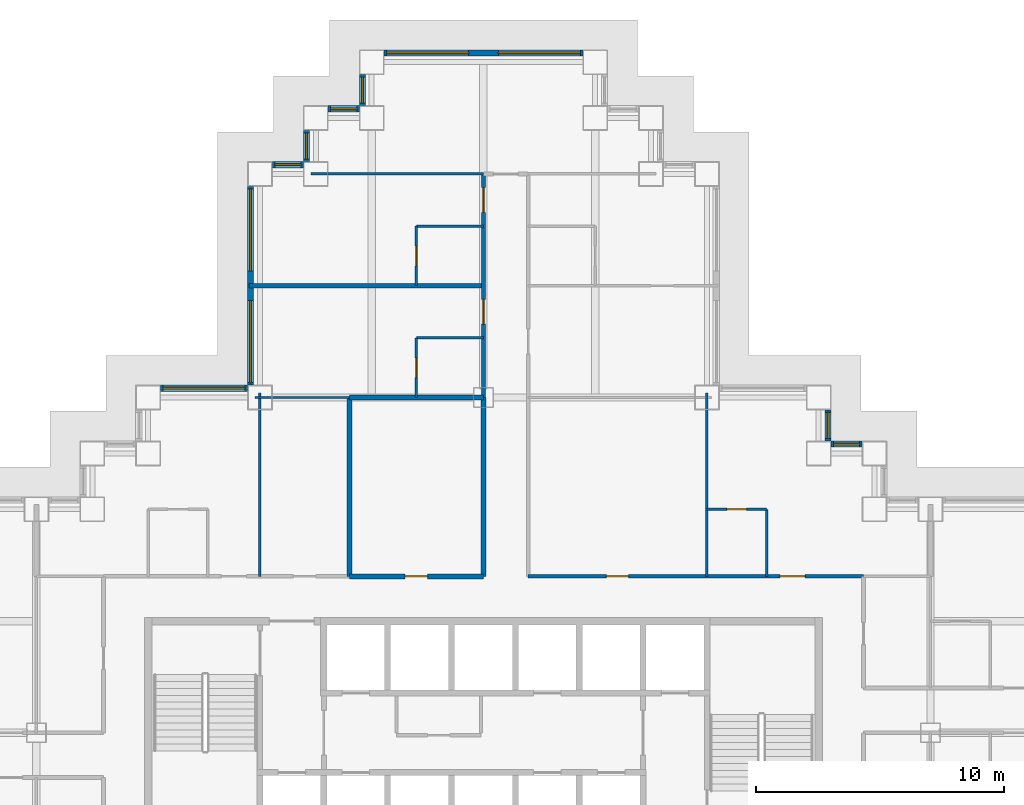
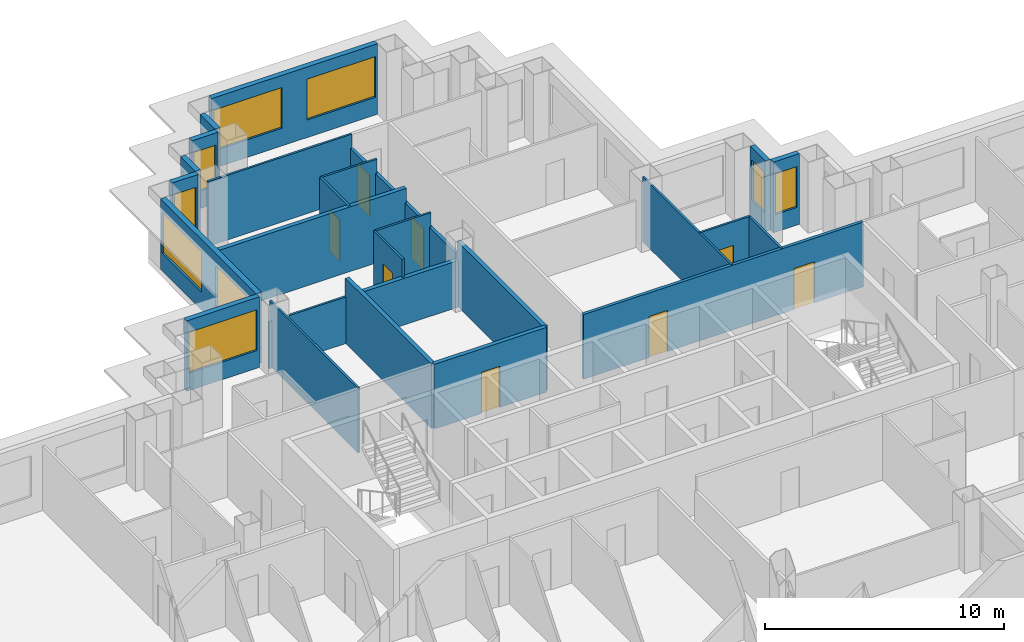
# One storey, part 8 of 14: 26 walls, 11 windows, 8 doors, 19 openings.
"""IFC4 building model written with IfcOpenShell, lengths in metres."""

from ifc_helpers import new_model, si_unit, direction, frame, frame_2d, origin, place, context, subcontext, project, spatial, rectangle, extrude, material, layer, layer_set, type_object, element, fill, save


model = new_model("IFC4")

# Units and contexts
model_context = context("Model", 3, precision=1e-05, world=origin(), true_north=direction((0.0, 1.0)))
body_context = subcontext(model_context, "Body", "Model", "MODEL_VIEW")
ifc_project = project(units=[si_unit("LENGTHUNIT", "METRE"), si_unit("AREAUNIT", "SQUARE_METRE"), si_unit("VOLUMEUNIT", "CUBIC_METRE"), si_unit("PLANEANGLEUNIT", "RADIAN"), si_unit("MASSUNIT", "GRAM", prefix="KILO")], contexts=[model_context])

# Site, building, storey
site_placement = place(None, origin())
site = spatial("IfcSite", under=ifc_project, at=site_placement, CompositionType="ELEMENT")
building_placement = place(site_placement, origin())
building = spatial("IfcBuilding", under=site, at=building_placement, Name="Caravel Reach Hotel and Residences", CompositionType="ELEMENT")
storey_placement = place(building_placement, frame((0.0, 0.0, 67.199951171875)))
storey = spatial("IfcBuildingStorey", under=building, at=storey_placement, Name="L15", CompositionType="ELEMENT", Elevation=67.199951171875)

# Wall, opening, door
ifc_material_1 = material(Name="Gypsum board on steel stud", Category="steel")
ifc_layer_1 = layer(ifc_material_1, 0.10009765625)
ifc_layer_set_1 = layer_set([ifc_layer_1], Name="Bathroom pod wall 100 mm")
wall_type_1 = type_object("IfcWallType", Name="Bathroom pod wall 100 mm", PredefinedType="PARTITIONING", material=ifc_layer_set_1)
wall_1_placement = place(storey_placement, frame((40.5, 36.0, 0.0), z_axis=(0.0, 0.0, 1.0), x_axis=(1.0, 0.0, 0.0)))
wall_1 = element("IfcWall", 1, at=wall_1_placement, inside=storey, type_object=wall_type_1, Name="L15 wall w082", PredefinedType="PARTITIONING", context=body_context, shape_type="SweptSolid", body=[
    extrude(rectangle(XDim=2.39990234375, YDim=0.10009765625, at=frame_2d((1.199951171875, 0.0))), origin(), (0.0, 0.0, 1.0), 3.300048828125),
])
opening_1_placement = place(wall_1_placement, frame((0.800048828125, 0.0, 0.0)))
opening_1 = element("IfcOpeningElement", 2, at=opening_1_placement, cuts=wall_1, Name="Opening D15-045", PredefinedType="OPENING", context=body_context, shape_type="SweptSolid", body=[
    extrude(rectangle(XDim=0.800048828125, YDim=2.10009765625, at=frame_2d((0.39990234375, 1.050048828125))), frame((0.0, 0.06005859375, 0.0), z_axis=(0.0, -1.0, 0.0), x_axis=(1.0, 0.0, 0.0)), (0.0, 0.0, 1.0), 0.1201171875),
])
ifc_material_2 = material(Name="Timber and steel door leaf", Category="steel")
door_type_1 = type_object("IfcDoorType", Name="Bathroom door 800 x 2100", OperationType="SINGLE_SWING_LEFT", PredefinedType="DOOR", material=ifc_material_2)
door_1_placement = place(opening_1_placement, origin())
door_1 = element("IfcDoor", 3, at=door_1_placement, inside=storey, type_object=door_type_1, Name="door D15-045", OperationType="SINGLE_SWING_RIGHT", OverallHeight=2.10009765625, OverallWidth=0.800048828125, PredefinedType="DOOR", context=body_context, shape_type="SweptSolid", body=[
    extrude(rectangle(XDim=0.800048828125, YDim=2.10009765625, at=frame_2d((0.39990234375, 1.050048828125))), frame((0.0, 0.02490234375, 0.0), z_axis=(0.0, -1.0, 0.0), x_axis=(1.0, 0.0, 0.0)), (0.0, 0.0, 1.0), 0.050048828125),
])
fill(opening_1, door_1)

# Walls
for number, where, z_axis, x_axis, name in (
    (4, (28.800048828125, 42.89990234375, 0.0), (0.0, 0.0, 1.0), (1.0, 0.0, 0.0), "L15 wall w083"),
    (5, (28.800048828125, 47.39990234375, 0.0), (0.0, 0.0, 1.0), (1.0, 0.0, 0.0), "L15 wall w084"),
):
    element("IfcWall", number, at=place(storey_placement, frame(where, z_axis=z_axis, x_axis=x_axis)), inside=storey, type_object=wall_type_1, Name=name, PredefinedType="PARTITIONING", context=body_context, shape_type="SweptSolid", body=[
        extrude(rectangle(XDim=2.699951171875, YDim=0.10009765625, at=frame_2d((1.35009765625, 0.0))), origin(), (0.0, 0.0, 1.0), 3.300048828125),
    ])

# Wall, opening, door
wall_2_placement = place(storey_placement, frame((28.800048828125, 40.5, 0.0), z_axis=(0.0, 0.0, 1.0), x_axis=(0.0, 1.0, 0.0)))
wall_2 = element("IfcWall", 6, at=wall_2_placement, inside=storey, type_object=wall_type_1, Name="L15 wall w095", PredefinedType="PARTITIONING", context=body_context, shape_type="SweptSolid", body=[
    extrude(rectangle(XDim=2.39990234375, YDim=0.10009765625, at=frame_2d((1.199951171875, 0.0))), origin(), (0.0, 0.0, 1.0), 3.300048828125),
])
opening_2_placement = place(wall_2_placement, frame((0.800048828125, 0.0, 0.0)))
opening_2 = element("IfcOpeningElement", 7, at=opening_2_placement, cuts=wall_2, Name="Opening D15-024", PredefinedType="OPENING", context=body_context, shape_type="SweptSolid", body=[
    extrude(rectangle(XDim=0.800048828125, YDim=2.10009765625, at=frame_2d((0.39990234375, 1.050048828125))), frame((0.0, 0.06005859375, 0.0), z_axis=(0.0, -1.0, 0.0), x_axis=(1.0, 0.0, 0.0)), (0.0, 0.0, 1.0), 0.1201171875),
])
door_2_placement = place(opening_2_placement, origin())
door_2 = element("IfcDoor", 8, at=door_2_placement, inside=storey, type_object=door_type_1, Name="door D15-024", OperationType="SINGLE_SWING_RIGHT", OverallHeight=2.10009765625, OverallWidth=0.800048828125, PredefinedType="DOOR", context=body_context, shape_type="SweptSolid", body=[
    extrude(rectangle(XDim=0.800048828125, YDim=2.10009765625, at=frame_2d((0.39990234375, 1.050048828125))), frame((0.0, 0.02490234375, 0.0), z_axis=(0.0, -1.0, 0.0), x_axis=(1.0, 0.0, 0.0)), (0.0, 0.0, 1.0), 0.050048828125),
])
fill(opening_2, door_2)

wall_3_placement = place(storey_placement, frame((28.800048828125, 45.0, 0.0), z_axis=(0.0, 0.0, 1.0), x_axis=(0.0, 1.0, 0.0)))
wall_3 = element("IfcWall", 9, at=wall_3_placement, inside=storey, type_object=wall_type_1, Name="L15 wall w096", PredefinedType="PARTITIONING", context=body_context, shape_type="SweptSolid", body=[
    extrude(rectangle(XDim=2.39990234375, YDim=0.10009765625, at=frame_2d((1.199951171875, 0.0))), origin(), (0.0, 0.0, 1.0), 3.300048828125),
])
opening_3_placement = place(wall_3_placement, frame((0.800048828125, 0.0, 0.0)))
opening_3 = element("IfcOpeningElement", 10, at=opening_3_placement, cuts=wall_3, Name="Opening D15-026", PredefinedType="OPENING", context=body_context, shape_type="SweptSolid", body=[
    extrude(rectangle(XDim=0.800048828125, YDim=2.10009765625, at=frame_2d((0.39990234375, 1.050048828125))), frame((0.0, 0.06005859375, 0.0), z_axis=(0.0, -1.0, 0.0), x_axis=(1.0, 0.0, 0.0)), (0.0, 0.0, 1.0), 0.1201171875),
])
door_3_placement = place(opening_3_placement, origin())
door_3 = element("IfcDoor", 11, at=door_3_placement, inside=storey, type_object=door_type_1, Name="door D15-026", OperationType="SINGLE_SWING_RIGHT", OverallHeight=2.10009765625, OverallWidth=0.800048828125, PredefinedType="DOOR", context=body_context, shape_type="SweptSolid", body=[
    extrude(rectangle(XDim=0.800048828125, YDim=2.10009765625, at=frame_2d((0.39990234375, 1.050048828125))), frame((0.0, 0.02490234375, 0.0), z_axis=(0.0, -1.0, 0.0), x_axis=(1.0, 0.0, 0.0)), (0.0, 0.0, 1.0), 0.050048828125),
])
fill(opening_3, door_3)

# Wall
wall_4_placement = place(storey_placement, frame((42.89990234375, 33.300048828125, 0.0), z_axis=(0.0, 0.0, 1.0), x_axis=(0.0, 1.0, 0.0)))
element("IfcWall", 12, at=wall_4_placement, inside=storey, type_object=wall_type_1, Name="L15 wall w101", PredefinedType="PARTITIONING", context=body_context, shape_type="SweptSolid", body=[
    extrude(rectangle(XDim=2.699951171875, YDim=0.10009765625, at=frame_2d((1.35009765625, 0.0))), origin(), (0.0, 0.0, 1.0), 3.300048828125),
])

# Wall, opening, door
ifc_material_3 = material(Name="Autoclaved aerated block wall")
ifc_layer_2 = layer(ifc_material_3, 0.199951171875)
ifc_layer_set_2 = layer_set([ifc_layer_2], Name="Compartment wall 200 mm EI 120")
wall_type_2 = type_object("IfcWallType", Name="Compartment wall 200 mm EI 120", PredefinedType="PARTITIONING", material=ifc_layer_set_2)
wall_5_placement = place(storey_placement, frame((26.10009765625, 33.300048828125, 0.0), z_axis=(0.0, 0.0, 1.0), x_axis=(1.0, 0.0, 0.0)))
wall_5 = element("IfcWall", 13, at=wall_5_placement, inside=storey, type_object=wall_type_2, Name="L15 wall w105", PredefinedType="PARTITIONING", context=body_context, shape_type="SweptSolid", body=[
    extrude(rectangle(XDim=5.39990234375, YDim=0.199951171875, at=frame_2d((2.699951171875, 0.0))), origin(), (0.0, 0.0, 1.0), 3.300048828125),
])
opening_4_placement = place(wall_5_placement, frame((2.25, 0.0, 0.0)))
opening_4 = element("IfcOpeningElement", 14, at=opening_4_placement, cuts=wall_5, Name="Opening D15-052", PredefinedType="OPENING", context=body_context, shape_type="SweptSolid", body=[
    extrude(rectangle(XDim=0.89990234375, YDim=2.10009765625, at=frame_2d((0.449951171875, 1.050048828125))), frame((0.0, 0.10986328125, 0.0), z_axis=(0.0, -1.0, 0.0), x_axis=(1.0, 0.0, 0.0)), (0.0, 0.0, 1.0), 0.219970703125),
])
ifc_material_4 = material(Name="Steel fire door leaf", Category="steel")
door_type_2 = type_object("IfcDoorType", Name="Riser door 900 x 2100 EI 60", OperationType="SINGLE_SWING_LEFT", PredefinedType="DOOR", material=ifc_material_4)
door_4_placement = place(opening_4_placement, origin())
door_4 = element("IfcDoor", 15, at=door_4_placement, inside=storey, type_object=door_type_2, Name="door D15-052", OperationType="SINGLE_SWING_RIGHT", OverallHeight=2.10009765625, OverallWidth=0.89990234375, PredefinedType="DOOR", context=body_context, shape_type="SweptSolid", body=[
    extrude(rectangle(XDim=0.89990234375, YDim=2.10009765625, at=frame_2d((0.449951171875, 1.050048828125))), frame((0.0, 0.02490234375, 0.0), z_axis=(0.0, -1.0, 0.0), x_axis=(1.0, 0.0, 0.0)), (0.0, 0.0, 1.0), 0.050048828125),
])
fill(opening_4, door_4)

# Walls
wall_6_placement = place(storey_placement, frame((26.10009765625, 40.5, 0.0), z_axis=(0.0, 0.0, 1.0), x_axis=(1.0, 0.0, 0.0)))
element("IfcWall", 16, at=wall_6_placement, inside=storey, type_object=wall_type_2, Name="L15 wall w106", PredefinedType="PARTITIONING", context=body_context, shape_type="SweptSolid", body=[
    extrude(rectangle(XDim=5.39990234375, YDim=0.199951171875, at=frame_2d((2.699951171875, 0.0))), origin(), (0.0, 0.0, 1.0), 2.380126953125),
])
for number, where, z_axis, x_axis, name in (
    (17, (26.10009765625, 33.300048828125, 0.0), (0.0, 0.0, 1.0), (0.0, 1.0, 0.0), "L15 wall w107"),
    (18, (31.5, 33.300048828125, 0.0), (0.0, 0.0, 1.0), (0.0, 1.0, 0.0), "L15 wall w108"),
):
    element("IfcWall", number, at=place(storey_placement, frame(where, z_axis=z_axis, x_axis=x_axis)), inside=storey, type_object=wall_type_2, Name=name, PredefinedType="PARTITIONING", context=body_context, shape_type="SweptSolid", body=[
        extrude(rectangle(XDim=7.199951171875, YDim=0.199951171875, at=frame_2d((3.60009765625, 0.0))), origin(), (0.0, 0.0, 1.0), 3.300048828125),
    ])

# Wall, openings, doors
ifc_material_5 = material(Name="Gypsum board on steel stud, fire-rated", Category="steel")
ifc_layer_3 = layer(ifc_material_5, 0.14990234375)
ifc_layer_set_3 = layer_set([ifc_layer_3], Name="Corridor wall 150 mm EI 60")
wall_type_3 = type_object("IfcWallType", Name="Corridor wall 150 mm EI 60", PredefinedType="PARTITIONING", material=ifc_layer_set_3)
wall_7_placement = place(storey_placement, frame((33.300048828125, 33.300048828125, 0.0), z_axis=(0.0, 0.0, 1.0), x_axis=(1.0, 0.0, 0.0)))
wall_7 = element("IfcWall", 19, at=wall_7_placement, inside=storey, type_object=wall_type_3, Name="L15 wall w018", PredefinedType="PARTITIONING", context=body_context, shape_type="SweptSolid", body=[
    extrude(rectangle(XDim=13.5, YDim=0.14990234375, at=frame_2d((6.75, 0.0))), origin(), (0.0, 0.0, 1.0), 3.300048828125),
])
opening_5_placement = place(wall_7_placement, frame((10.14990234375, 0.0, 0.0)))
opening_5 = element("IfcOpeningElement", 20, at=opening_5_placement, cuts=wall_7, Name="Opening D15-044", PredefinedType="OPENING", context=body_context, shape_type="SweptSolid", body=[
    extrude(rectangle(XDim=1.0, YDim=2.10009765625, at=frame_2d((0.5, 1.050048828125))), frame((0.0, 0.0849609375, 0.0), z_axis=(0.0, -1.0, 0.0), x_axis=(1.0, 0.0, 0.0)), (0.0, 0.0, 1.0), 0.169921875),
])
opening_6_placement = place(wall_7_placement, frame((3.14990234375, 0.0, 0.0)))
opening_6 = element("IfcOpeningElement", 21, at=opening_6_placement, cuts=wall_7, Name="Opening D15-053", PredefinedType="OPENING", context=body_context, shape_type="SweptSolid", body=[
    extrude(rectangle(XDim=0.89990234375, YDim=2.10009765625, at=frame_2d((0.449951171875, 1.050048828125))), frame((0.0, 0.0849609375, 0.0), z_axis=(0.0, -1.0, 0.0), x_axis=(1.0, 0.0, 0.0)), (0.0, 0.0, 1.0), 0.169921875),
])
ifc_material_6 = material(Name="Timber and steel door leaf", Category="steel")
door_type_3 = type_object("IfcDoorType", Name="Door 900 x 2100 timber", OperationType="SINGLE_SWING_LEFT", PredefinedType="DOOR", material=ifc_material_6)
door_5_placement = place(opening_6_placement, origin())
door_5 = element("IfcDoor", 22, at=door_5_placement, inside=storey, type_object=door_type_3, Name="door D15-053", OperationType="SINGLE_SWING_RIGHT", OverallHeight=2.10009765625, OverallWidth=0.89990234375, PredefinedType="DOOR", context=body_context, shape_type="SweptSolid", body=[
    extrude(rectangle(XDim=0.89990234375, YDim=2.10009765625, at=frame_2d((0.449951171875, 1.050048828125))), frame((0.0, 0.02490234375, 0.0), z_axis=(0.0, -1.0, 0.0), x_axis=(1.0, 0.0, 0.0)), (0.0, 0.0, 1.0), 0.050048828125),
])
fill(opening_6, door_5)
ifc_material_7 = material(Name="Steel fire door leaf", Category="steel")
door_type_4 = type_object("IfcDoorType", Name="Guest room door 1000 x 2100 EI 30", OperationType="SINGLE_SWING_LEFT", PredefinedType="DOOR", material=ifc_material_7)
door_6_placement = place(opening_5_placement, origin())
door_6 = element("IfcDoor", 23, at=door_6_placement, inside=storey, type_object=door_type_4, Name="door D15-044", OperationType="SINGLE_SWING_RIGHT", OverallHeight=2.10009765625, OverallWidth=1.0, PredefinedType="DOOR", context=body_context, shape_type="SweptSolid", body=[
    extrude(rectangle(XDim=1.0, YDim=2.10009765625, at=frame_2d((0.5, 1.050048828125))), frame((0.0, 0.02490234375, 0.0), z_axis=(0.0, -1.0, 0.0), x_axis=(1.0, 0.0, 0.0)), (0.0, 0.0, 1.0), 0.050048828125),
])
fill(opening_5, door_6)

wall_8_placement = place(storey_placement, frame((31.5, 40.5, 0.0), z_axis=(0.0, 0.0, 1.0), x_axis=(0.0, 1.0, 0.0)))
wall_8 = element("IfcWall", 24, at=wall_8_placement, inside=storey, type_object=wall_type_3, Name="L15 wall w026", PredefinedType="PARTITIONING", context=body_context, shape_type="SweptSolid", body=[
    extrude(rectangle(XDim=9.0, YDim=0.14990234375, at=frame_2d((4.5, 0.0))), origin(), (0.0, 0.0, 1.0), 2.580078125),
])
opening_7_placement = place(wall_8_placement, frame((2.949951171875, 0.0, 0.0)))
opening_7 = element("IfcOpeningElement", 25, at=opening_7_placement, cuts=wall_8, Name="Opening D15-023", PredefinedType="OPENING", context=body_context, shape_type="SweptSolid", body=[
    extrude(rectangle(XDim=1.0, YDim=2.10009765625, at=frame_2d((0.5, 1.050048828125))), frame((0.0, 0.0849609375, 0.0), z_axis=(0.0, -1.0, 0.0), x_axis=(1.0, 0.0, 0.0)), (0.0, 0.0, 1.0), 0.169921875),
])
opening_8_placement = place(wall_8_placement, frame((7.449951171875, 0.0, 0.0)))
opening_8 = element("IfcOpeningElement", 26, at=opening_8_placement, cuts=wall_8, Name="Opening D15-025", PredefinedType="OPENING", context=body_context, shape_type="SweptSolid", body=[
    extrude(rectangle(XDim=1.0, YDim=2.10009765625, at=frame_2d((0.5, 1.050048828125))), frame((0.0, 0.0849609375, 0.0), z_axis=(0.0, -1.0, 0.0), x_axis=(1.0, 0.0, 0.0)), (0.0, 0.0, 1.0), 0.169921875),
])
door_7_placement = place(opening_7_placement, origin())
door_7 = element("IfcDoor", 27, at=door_7_placement, inside=storey, type_object=door_type_4, Name="door D15-023", OperationType="SINGLE_SWING_RIGHT", OverallHeight=2.10009765625, OverallWidth=1.0, PredefinedType="DOOR", context=body_context, shape_type="SweptSolid", body=[
    extrude(rectangle(XDim=1.0, YDim=2.10009765625, at=frame_2d((0.5, 1.050048828125))), frame((0.0, 0.02490234375, 0.0), z_axis=(0.0, -1.0, 0.0), x_axis=(1.0, 0.0, 0.0)), (0.0, 0.0, 1.0), 0.050048828125),
])
fill(opening_7, door_7)
door_8_placement = place(opening_8_placement, origin())
door_8 = element("IfcDoor", 28, at=door_8_placement, inside=storey, type_object=door_type_4, Name="door D15-025", OperationType="SINGLE_SWING_RIGHT", OverallHeight=2.10009765625, OverallWidth=1.0, PredefinedType="DOOR", context=body_context, shape_type="SweptSolid", body=[
    extrude(rectangle(XDim=1.0, YDim=2.10009765625, at=frame_2d((0.5, 1.050048828125))), frame((0.0, 0.02490234375, 0.0), z_axis=(0.0, -1.0, 0.0), x_axis=(1.0, 0.0, 0.0)), (0.0, 0.0, 1.0), 0.050048828125),
])
fill(opening_8, door_8)

# Wall, opening, window
ifc_material_8 = material(Name="Insulated rainscreen wall, aluminium cladding", Category="aluminium")
ifc_layer_4 = layer(ifc_material_8, 0.25)
ifc_layer_set_4 = layer_set([ifc_layer_4], Name="EW1 Tower rainscreen wall")
wall_type_4 = type_object("IfcWallType", Name="EW1 Tower rainscreen wall", PredefinedType="SOLIDWALL", material=ifc_layer_set_4)
wall_9_placement = place(storey_placement, frame((46.75, 38.625, 0.0), z_axis=(0.0, 0.0, 1.0), x_axis=(-1.0, 0.0, 0.0)))
wall_9 = element("IfcWall", 29, at=wall_9_placement, inside=storey, type_object=wall_type_4, Name="External wall L15 N27.1", PredefinedType="SOLIDWALL", context=body_context, shape_type="SweptSolid", body=[
    extrude(rectangle(XDim=1.25, YDim=0.25, at=frame_2d((0.625, 0.0))), origin(), (0.0, 0.0, 1.0), 3.60009765625),
])
opening_9_placement = place(wall_9_placement, frame((0.10009765625, 0.0, 0.89990234375)))
opening_9 = element("IfcOpeningElement", 30, at=opening_9_placement, cuts=wall_9, Name="Opening WN3", PredefinedType="OPENING", context=body_context, shape_type="SweptSolid", body=[
    extrude(rectangle(XDim=1.050048828125, YDim=2.080078125, at=frame_2d((0.52490234375, 1.0400390625))), frame((0.0, 0.135009765625, 0.0), z_axis=(0.0, -1.0, 0.0), x_axis=(1.0, 0.0, 0.0)), (0.0, 0.0, 1.0), 0.27001953125),
])
ifc_material_9 = material(Name="Dark low-e glazing in black aluminium frame", Category="aluminium")
window_type_1 = type_object("IfcWindowType", Name="Hotel suite corner window 1050 x 2080", PartitioningType="SINGLE_PANEL", PredefinedType="WINDOW", material=ifc_material_9)
window_1_placement = place(opening_9_placement, origin())
window_1 = element("IfcWindow", 31, at=window_1_placement, inside=storey, type_object=window_type_1, Name="Window L15 N27.1.1", OverallHeight=2.080078125, OverallWidth=1.050048828125, PartitioningType="SINGLE_PANEL", PredefinedType="WINDOW", context=body_context, shape_type="SweptSolid", body=[
    extrude(rectangle(XDim=1.050048828125, YDim=2.080078125, at=frame_2d((0.52490234375, 1.0400390625))), frame((0.0, 0.030029296875, 0.0), z_axis=(0.0, -1.0, 0.0), x_axis=(1.0, 0.0, 0.0)), (0.0, 0.0, 1.0), 0.06005859375),
])
fill(opening_9, window_1)

wall_10_placement = place(storey_placement, frame((45.375, 38.75, 0.0), z_axis=(0.0, 0.0, 1.0), x_axis=(0.0, 1.0, 0.0)))
wall_10 = element("IfcWall", 32, at=wall_10_placement, inside=storey, type_object=wall_type_4, Name="External wall L15 E28.1", PredefinedType="SOLIDWALL", context=body_context, shape_type="SweptSolid", body=[
    extrude(rectangle(XDim=1.25, YDim=0.25, at=frame_2d((0.625, 0.0))), origin(), (0.0, 0.0, 1.0), 3.60009765625),
])
opening_10_placement = place(wall_10_placement, frame((0.10009765625, 0.0, 0.89990234375)))
opening_10 = element("IfcOpeningElement", 33, at=opening_10_placement, cuts=wall_10, Name="Opening WN3", PredefinedType="OPENING", context=body_context, shape_type="SweptSolid", body=[
    extrude(rectangle(XDim=1.050048828125, YDim=2.080078125, at=frame_2d((0.52490234375, 1.0400390625))), frame((0.0, 0.135009765625, 0.0), z_axis=(0.0, -1.0, 0.0), x_axis=(1.0, 0.0, 0.0)), (0.0, 0.0, 1.0), 0.27001953125),
])
window_2_placement = place(opening_10_placement, origin())
window_2 = element("IfcWindow", 34, at=window_2_placement, inside=storey, type_object=window_type_1, Name="Window L15 E28.1.1", OverallHeight=2.080078125, OverallWidth=1.050048828125, PartitioningType="SINGLE_PANEL", PredefinedType="WINDOW", context=body_context, shape_type="SweptSolid", body=[
    extrude(rectangle(XDim=1.050048828125, YDim=2.080078125, at=frame_2d((0.52490234375, 1.0400390625))), frame((0.0, 0.030029296875, 0.0), z_axis=(0.0, -1.0, 0.0), x_axis=(1.0, 0.0, 0.0)), (0.0, 0.0, 1.0), 0.06005859375),
])
fill(opening_10, window_2)

# Wall, openings, windows
wall_11_placement = place(storey_placement, frame((35.5, 54.375, 0.0), z_axis=(0.0, 0.0, 1.0), x_axis=(-1.0, 0.0, 0.0)))
wall_11 = element("IfcWall", 35, at=wall_11_placement, inside=storey, type_object=wall_type_4, Name="External wall L15 N35.1", PredefinedType="SOLIDWALL", context=body_context, shape_type="SweptSolid", body=[
    extrude(rectangle(XDim=8.0, YDim=0.25, at=frame_2d((4.0, 0.0))), origin(), (0.0, 0.0, 1.0), 3.60009765625),
])
opening_11_placement = place(wall_11_placement, frame((0.10009765625, 0.0, 0.89990234375)))
opening_11 = element("IfcOpeningElement", 36, at=opening_11_placement, cuts=wall_11, Name="Opening WN4", PredefinedType="OPENING", context=body_context, shape_type="SweptSolid", body=[
    extrude(rectangle(XDim=3.300048828125, YDim=2.080078125, at=frame_2d((1.64990234375, 1.0400390625))), frame((0.0, 0.135009765625, 0.0), z_axis=(0.0, -1.0, 0.0), x_axis=(1.0, 0.0, 0.0)), (0.0, 0.0, 1.0), 0.27001953125),
])
opening_12_placement = place(wall_11_placement, frame((4.60009765625, 0.0, 0.89990234375)))
opening_12 = element("IfcOpeningElement", 37, at=opening_12_placement, cuts=wall_11, Name="Opening WN4", PredefinedType="OPENING", context=body_context, shape_type="SweptSolid", body=[
    extrude(rectangle(XDim=3.300048828125, YDim=2.080078125, at=frame_2d((1.64990234375, 1.0400390625))), frame((0.0, 0.135009765625, 0.0), z_axis=(0.0, -1.0, 0.0), x_axis=(1.0, 0.0, 0.0)), (0.0, 0.0, 1.0), 0.27001953125),
])
ifc_material_10 = material(Name="Dark low-e glazing in black aluminium frame", Category="aluminium")
window_type_2 = type_object("IfcWindowType", Name="Hotel guest room window 3300 x 2080", PartitioningType="SINGLE_PANEL", PredefinedType="WINDOW", material=ifc_material_10)
window_3_placement = place(opening_11_placement, origin())
window_3 = element("IfcWindow", 38, at=window_3_placement, inside=storey, type_object=window_type_2, Name="Window L15 N35.1.1", OverallHeight=2.080078125, OverallWidth=3.300048828125, PartitioningType="SINGLE_PANEL", PredefinedType="WINDOW", context=body_context, shape_type="SweptSolid", body=[
    extrude(rectangle(XDim=3.300048828125, YDim=2.080078125, at=frame_2d((1.64990234375, 1.0400390625))), frame((0.0, 0.030029296875, 0.0), z_axis=(0.0, -1.0, 0.0), x_axis=(1.0, 0.0, 0.0)), (0.0, 0.0, 1.0), 0.06005859375),
])
fill(opening_11, window_3)
window_4_placement = place(opening_12_placement, origin())
window_4 = element("IfcWindow", 39, at=window_4_placement, inside=storey, type_object=window_type_2, Name="Window L15 N35.1.2", OverallHeight=2.080078125, OverallWidth=3.300048828125, PartitioningType="SINGLE_PANEL", PredefinedType="WINDOW", context=body_context, shape_type="SweptSolid", body=[
    extrude(rectangle(XDim=3.300048828125, YDim=2.080078125, at=frame_2d((1.64990234375, 1.0400390625))), frame((0.0, 0.030029296875, 0.0), z_axis=(0.0, -1.0, 0.0), x_axis=(1.0, 0.0, 0.0)), (0.0, 0.0, 1.0), 0.06005859375),
])
fill(opening_12, window_4)

# Wall, opening, window
wall_12_placement = place(storey_placement, frame((26.625, 53.5, 0.0), z_axis=(0.0, 0.0, 1.0), x_axis=(0.0, -1.0, 0.0)))
wall_12 = element("IfcWall", 40, at=wall_12_placement, inside=storey, type_object=wall_type_4, Name="External wall L15 W36.1", PredefinedType="SOLIDWALL", context=body_context, shape_type="SweptSolid", body=[
    extrude(rectangle(XDim=1.25, YDim=0.25, at=frame_2d((0.625, 0.0))), origin(), (0.0, 0.0, 1.0), 3.60009765625),
])
opening_13_placement = place(wall_12_placement, frame((0.10009765625, 0.0, 0.89990234375)))
opening_13 = element("IfcOpeningElement", 41, at=opening_13_placement, cuts=wall_12, Name="Opening WN3", PredefinedType="OPENING", context=body_context, shape_type="SweptSolid", body=[
    extrude(rectangle(XDim=1.050048828125, YDim=2.080078125, at=frame_2d((0.52490234375, 1.0400390625))), frame((0.0, 0.135009765625, 0.0), z_axis=(0.0, -1.0, 0.0), x_axis=(1.0, 0.0, 0.0)), (0.0, 0.0, 1.0), 0.27001953125),
])
window_5_placement = place(opening_13_placement, origin())
window_5 = element("IfcWindow", 42, at=window_5_placement, inside=storey, type_object=window_type_1, Name="Window L15 W36.1.1", OverallHeight=2.080078125, OverallWidth=1.050048828125, PartitioningType="SINGLE_PANEL", PredefinedType="WINDOW", context=body_context, shape_type="SweptSolid", body=[
    extrude(rectangle(XDim=1.050048828125, YDim=2.080078125, at=frame_2d((0.52490234375, 1.0400390625))), frame((0.0, 0.030029296875, 0.0), z_axis=(0.0, -1.0, 0.0), x_axis=(1.0, 0.0, 0.0)), (0.0, 0.0, 1.0), 0.06005859375),
])
fill(opening_13, window_5)

wall_13_placement = place(storey_placement, frame((26.5, 52.125, 0.0), z_axis=(0.0, 0.0, 1.0), x_axis=(-1.0, 0.0, 0.0)))
wall_13 = element("IfcWall", 43, at=wall_13_placement, inside=storey, type_object=wall_type_4, Name="External wall L15 N37.1", PredefinedType="SOLIDWALL", context=body_context, shape_type="SweptSolid", body=[
    extrude(rectangle(XDim=1.25, YDim=0.25, at=frame_2d((0.625, 0.0))), origin(), (0.0, 0.0, 1.0), 3.60009765625),
])
opening_14_placement = place(wall_13_placement, frame((0.10009765625, 0.0, 0.89990234375)))
opening_14 = element("IfcOpeningElement", 44, at=opening_14_placement, cuts=wall_13, Name="Opening WN3", PredefinedType="OPENING", context=body_context, shape_type="SweptSolid", body=[
    extrude(rectangle(XDim=1.050048828125, YDim=2.080078125, at=frame_2d((0.52490234375, 1.0400390625))), frame((0.0, 0.135009765625, 0.0), z_axis=(0.0, -1.0, 0.0), x_axis=(1.0, 0.0, 0.0)), (0.0, 0.0, 1.0), 0.27001953125),
])
window_6_placement = place(opening_14_placement, origin())
window_6 = element("IfcWindow", 45, at=window_6_placement, inside=storey, type_object=window_type_1, Name="Window L15 N37.1.1", OverallHeight=2.080078125, OverallWidth=1.050048828125, PartitioningType="SINGLE_PANEL", PredefinedType="WINDOW", context=body_context, shape_type="SweptSolid", body=[
    extrude(rectangle(XDim=1.050048828125, YDim=2.080078125, at=frame_2d((0.52490234375, 1.0400390625))), frame((0.0, 0.030029296875, 0.0), z_axis=(0.0, -1.0, 0.0), x_axis=(1.0, 0.0, 0.0)), (0.0, 0.0, 1.0), 0.06005859375),
])
fill(opening_14, window_6)

wall_14_placement = place(storey_placement, frame((24.375, 51.25, 0.0), z_axis=(0.0, 0.0, 1.0), x_axis=(0.0, -1.0, 0.0)))
wall_14 = element("IfcWall", 46, at=wall_14_placement, inside=storey, type_object=wall_type_4, Name="External wall L15 W38.1", PredefinedType="SOLIDWALL", context=body_context, shape_type="SweptSolid", body=[
    extrude(rectangle(XDim=1.25, YDim=0.25, at=frame_2d((0.625, 0.0))), origin(), (0.0, 0.0, 1.0), 3.60009765625),
])
opening_15_placement = place(wall_14_placement, frame((0.10009765625, 0.0, 0.89990234375)))
opening_15 = element("IfcOpeningElement", 47, at=opening_15_placement, cuts=wall_14, Name="Opening WN3", PredefinedType="OPENING", context=body_context, shape_type="SweptSolid", body=[
    extrude(rectangle(XDim=1.050048828125, YDim=2.080078125, at=frame_2d((0.52490234375, 1.0400390625))), frame((0.0, 0.135009765625, 0.0), z_axis=(0.0, -1.0, 0.0), x_axis=(1.0, 0.0, 0.0)), (0.0, 0.0, 1.0), 0.27001953125),
])
window_7_placement = place(opening_15_placement, origin())
window_7 = element("IfcWindow", 48, at=window_7_placement, inside=storey, type_object=window_type_1, Name="Window L15 W38.1.1", OverallHeight=2.080078125, OverallWidth=1.050048828125, PartitioningType="SINGLE_PANEL", PredefinedType="WINDOW", context=body_context, shape_type="SweptSolid", body=[
    extrude(rectangle(XDim=1.050048828125, YDim=2.080078125, at=frame_2d((0.52490234375, 1.0400390625))), frame((0.0, 0.030029296875, 0.0), z_axis=(0.0, -1.0, 0.0), x_axis=(1.0, 0.0, 0.0)), (0.0, 0.0, 1.0), 0.06005859375),
])
fill(opening_15, window_7)

wall_15_placement = place(storey_placement, frame((24.25, 49.875, 0.0), z_axis=(0.0, 0.0, 1.0), x_axis=(-1.0, 0.0, 0.0)))
wall_15 = element("IfcWall", 49, at=wall_15_placement, inside=storey, type_object=wall_type_4, Name="External wall L15 N39.1", PredefinedType="SOLIDWALL", context=body_context, shape_type="SweptSolid", body=[
    extrude(rectangle(XDim=1.25, YDim=0.25, at=frame_2d((0.625, 0.0))), origin(), (0.0, 0.0, 1.0), 3.60009765625),
])
opening_16_placement = place(wall_15_placement, frame((0.10009765625, 0.0, 0.89990234375)))
opening_16 = element("IfcOpeningElement", 50, at=opening_16_placement, cuts=wall_15, Name="Opening WN3", PredefinedType="OPENING", context=body_context, shape_type="SweptSolid", body=[
    extrude(rectangle(XDim=1.050048828125, YDim=2.080078125, at=frame_2d((0.52490234375, 1.0400390625))), frame((0.0, 0.135009765625, 0.0), z_axis=(0.0, -1.0, 0.0), x_axis=(1.0, 0.0, 0.0)), (0.0, 0.0, 1.0), 0.27001953125),
])
window_8_placement = place(opening_16_placement, origin())
window_8 = element("IfcWindow", 51, at=window_8_placement, inside=storey, type_object=window_type_1, Name="Window L15 N39.1.1", OverallHeight=2.080078125, OverallWidth=1.050048828125, PartitioningType="SINGLE_PANEL", PredefinedType="WINDOW", context=body_context, shape_type="SweptSolid", body=[
    extrude(rectangle(XDim=1.050048828125, YDim=2.080078125, at=frame_2d((0.52490234375, 1.0400390625))), frame((0.0, 0.030029296875, 0.0), z_axis=(0.0, -1.0, 0.0), x_axis=(1.0, 0.0, 0.0)), (0.0, 0.0, 1.0), 0.06005859375),
])
fill(opening_16, window_8)

# Wall, openings, windows
wall_16_placement = place(storey_placement, frame((22.125, 49.0, 0.0), z_axis=(0.0, 0.0, 1.0), x_axis=(0.0, -1.0, 0.0)))
wall_16 = element("IfcWall", 52, at=wall_16_placement, inside=storey, type_object=wall_type_4, Name="External wall L15 W40.1", PredefinedType="SOLIDWALL", context=body_context, shape_type="SweptSolid", body=[
    extrude(rectangle(XDim=8.0, YDim=0.25, at=frame_2d((4.0, 0.0))), origin(), (0.0, 0.0, 1.0), 3.60009765625),
])
opening_17_placement = place(wall_16_placement, frame((0.10009765625, 0.0, 0.89990234375)))
opening_17 = element("IfcOpeningElement", 53, at=opening_17_placement, cuts=wall_16, Name="Opening WN4", PredefinedType="OPENING", context=body_context, shape_type="SweptSolid", body=[
    extrude(rectangle(XDim=3.300048828125, YDim=2.080078125, at=frame_2d((1.64990234375, 1.0400390625))), frame((0.0, 0.135009765625, 0.0), z_axis=(0.0, -1.0, 0.0), x_axis=(1.0, 0.0, 0.0)), (0.0, 0.0, 1.0), 0.27001953125),
])
opening_18_placement = place(wall_16_placement, frame((4.60009765625, 0.0, 0.89990234375)))
opening_18 = element("IfcOpeningElement", 54, at=opening_18_placement, cuts=wall_16, Name="Opening WN4", PredefinedType="OPENING", context=body_context, shape_type="SweptSolid", body=[
    extrude(rectangle(XDim=3.300048828125, YDim=2.080078125, at=frame_2d((1.64990234375, 1.0400390625))), frame((0.0, 0.135009765625, 0.0), z_axis=(0.0, -1.0, 0.0), x_axis=(1.0, 0.0, 0.0)), (0.0, 0.0, 1.0), 0.27001953125),
])
window_9_placement = place(opening_17_placement, origin())
window_9 = element("IfcWindow", 55, at=window_9_placement, inside=storey, type_object=window_type_2, Name="Window L15 W40.1.1", OverallHeight=2.080078125, OverallWidth=3.300048828125, PartitioningType="SINGLE_PANEL", PredefinedType="WINDOW", context=body_context, shape_type="SweptSolid", body=[
    extrude(rectangle(XDim=3.300048828125, YDim=2.080078125, at=frame_2d((1.64990234375, 1.0400390625))), frame((0.0, 0.030029296875, 0.0), z_axis=(0.0, -1.0, 0.0), x_axis=(1.0, 0.0, 0.0)), (0.0, 0.0, 1.0), 0.06005859375),
])
fill(opening_17, window_9)
window_10_placement = place(opening_18_placement, origin())
window_10 = element("IfcWindow", 56, at=window_10_placement, inside=storey, type_object=window_type_2, Name="Window L15 W40.1.2", OverallHeight=2.080078125, OverallWidth=3.300048828125, PartitioningType="SINGLE_PANEL", PredefinedType="WINDOW", context=body_context, shape_type="SweptSolid", body=[
    extrude(rectangle(XDim=3.300048828125, YDim=2.080078125, at=frame_2d((1.64990234375, 1.0400390625))), frame((0.0, 0.030029296875, 0.0), z_axis=(0.0, -1.0, 0.0), x_axis=(1.0, 0.0, 0.0)), (0.0, 0.0, 1.0), 0.06005859375),
])
fill(opening_18, window_10)

# Wall, opening, window
wall_17_placement = place(storey_placement, frame((22.0, 40.875, 0.0), z_axis=(0.0, 0.0, 1.0), x_axis=(-1.0, 0.0, 0.0)))
wall_17 = element("IfcWall", 57, at=wall_17_placement, inside=storey, type_object=wall_type_4, Name="External wall L15 N41.1", PredefinedType="SOLIDWALL", context=body_context, shape_type="SweptSolid", body=[
    extrude(rectangle(XDim=3.5, YDim=0.25, at=frame_2d((1.75, 0.0))), origin(), (0.0, 0.0, 1.0), 3.60009765625),
])
opening_19_placement = place(wall_17_placement, frame((0.10009765625, 0.0, 0.89990234375)))
opening_19 = element("IfcOpeningElement", 58, at=opening_19_placement, cuts=wall_17, Name="Opening WN4", PredefinedType="OPENING", context=body_context, shape_type="SweptSolid", body=[
    extrude(rectangle(XDim=3.300048828125, YDim=2.080078125, at=frame_2d((1.64990234375, 1.0400390625))), frame((0.0, 0.135009765625, 0.0), z_axis=(0.0, -1.0, 0.0), x_axis=(1.0, 0.0, 0.0)), (0.0, 0.0, 1.0), 0.27001953125),
])
window_11_placement = place(opening_19_placement, origin())
window_11 = element("IfcWindow", 59, at=window_11_placement, inside=storey, type_object=window_type_2, Name="Window L15 N41.1.1", OverallHeight=2.080078125, OverallWidth=3.300048828125, PartitioningType="SINGLE_PANEL", PredefinedType="WINDOW", context=body_context, shape_type="SweptSolid", body=[
    extrude(rectangle(XDim=3.300048828125, YDim=2.080078125, at=frame_2d((1.64990234375, 1.0400390625))), frame((0.0, 0.030029296875, 0.0), z_axis=(0.0, -1.0, 0.0), x_axis=(1.0, 0.0, 0.0)), (0.0, 0.0, 1.0), 0.06005859375),
])
fill(opening_19, window_11)

# Walls
ifc_material_11 = material(Name="Gypsum board on steel stud", Category="steel")
ifc_layer_5 = layer(ifc_material_11, 0.10009765625)
ifc_layer_set_5 = layer_set([ifc_layer_5], Name="Partition 100 mm")
wall_type_5 = type_object("IfcWallType", Name="Partition 100 mm", PredefinedType="PARTITIONING", material=ifc_layer_set_5)
wall_18_placement = place(storey_placement, frame((22.31005859375, 40.5, 0.0), z_axis=(0.0, 0.0, 1.0), x_axis=(1.0, 0.0, 0.0)))
element("IfcWall", 60, at=wall_18_placement, inside=storey, type_object=wall_type_5, Name="L15 wall w045", PredefinedType="PARTITIONING", context=body_context, shape_type="SweptSolid", body=[
    extrude(rectangle(XDim=3.7900390625, YDim=0.10009765625, at=frame_2d((1.89501953125, 0.0))), origin(), (0.0, 0.0, 1.0), 2.380126953125),
])
wall_19_placement = place(storey_placement, frame((24.56005859375, 49.5, 0.0), z_axis=(0.0, 0.0, 1.0), x_axis=(1.0, 0.0, 0.0)))
element("IfcWall", 61, at=wall_19_placement, inside=storey, type_object=wall_type_5, Name="L15 wall w048", PredefinedType="PARTITIONING", context=body_context, shape_type="SweptSolid", body=[
    extrude(rectangle(XDim=6.93994140625, YDim=0.10009765625, at=frame_2d((3.469970703125, 0.0))), origin(), (0.0, 0.0, 1.0), 3.300048828125),
])
for number, where, z_axis, x_axis, name in (
    (62, (22.5, 33.300048828125, 0.0), (0.0, 0.0, 1.0), (0.0, 1.0, 0.0), "L15 wall w055"),
    (63, (40.5, 33.300048828125, 0.0), (0.0, 0.0, 1.0), (0.0, 1.0, 0.0), "L15 wall w058"),
):
    element("IfcWall", number, at=place(storey_placement, frame(where, z_axis=z_axis, x_axis=x_axis)), inside=storey, type_object=wall_type_5, Name=name, PredefinedType="PARTITIONING", context=body_context, shape_type="SweptSolid", body=[
        extrude(rectangle(XDim=7.389892578125, YDim=0.10009765625, at=frame_2d((3.69482421875, 0.0))), origin(), (0.0, 0.0, 1.0), 3.300048828125),
    ])
ifc_material_12 = material(Name="Autoclaved aerated block wall")
ifc_layer_6 = layer(ifc_material_12, 0.199951171875)
ifc_layer_set_6 = layer_set([ifc_layer_6], Name="Party wall 200 mm EI 60")
wall_type_6 = type_object("IfcWallType", Name="Party wall 200 mm EI 60", PredefinedType="PARTITIONING", material=ifc_layer_set_6)
wall_20_placement = place(storey_placement, frame((22.06005859375, 45.0, 0.0), z_axis=(0.0, 0.0, 1.0), x_axis=(1.0, 0.0, 0.0)))
element("IfcWall", 64, at=wall_20_placement, inside=storey, type_object=wall_type_6, Name="L15 wall w068", PredefinedType="PARTITIONING", context=body_context, shape_type="SweptSolid", body=[
    extrude(rectangle(XDim=9.43994140625, YDim=0.199951171875, at=frame_2d((4.719970703125, 0.0))), origin(), (0.0, 0.0, 1.0), 3.300048828125),
])

save(model, "model.ifc")
